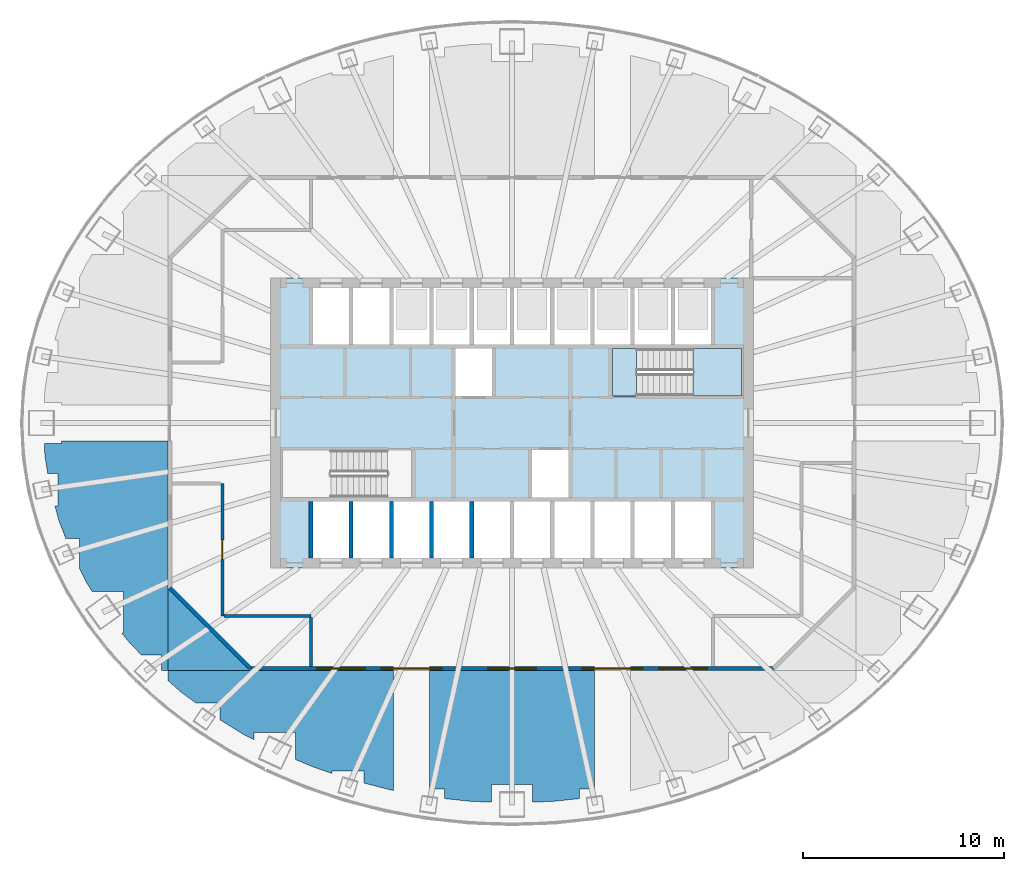
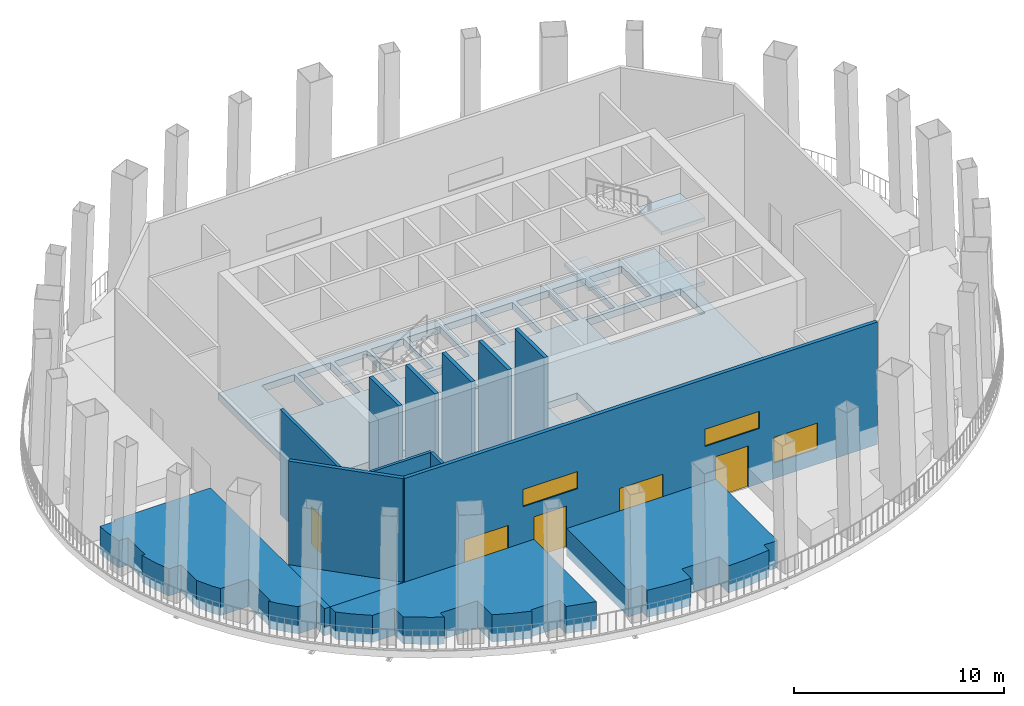
# One storey, part 3 of 15: 14 walls, 5 windows, 4 slabs, 3 doors, 8 openings, 1 element without a shape of its own.
"""IFC4 building model written with IfcOpenShell, lengths in metres."""

import ifcopenshell
import ifcopenshell.guid

model = None  # the IFC model being written
_history = None  # IfcOwnerHistory: only IFC2X3 demands one
_inside = {}  # id of a spatial element -> (the spatial element, [elements in it])
_under = {}  # id of a project, library or spatial element -> (it, [spatial elements below it])
_declared = {}  # id of a project -> (the project, [libraries it declares])
_typed = {}  # id of a type object -> (the type object, [elements of that type])
_made_of = {}  # id of a material, layer set ... -> (it, [elements and type objects made of it])


def new_model(schema):
    """Start an empty IFC model of exactly this schema.

    Asked for "IFC4X3", IfcOpenShell would pick the latest addendum, in which some entities
    have other attributes; the version numbers below select the first issue.
    IFC2X3 requires an IfcOwnerHistory on every rooted entity: one is made here for all.
    """
    global model, _history
    if schema == "IFC4X3":
        model = ifcopenshell.file(schema_version=(4, 3, 0, 0))
    else:
        model = ifcopenshell.file(schema=schema)
    _inside.clear()
    _under.clear()
    _declared.clear()
    _typed.clear()
    _made_of.clear()
    _history = None
    if model.schema == "IFC2X3":
        org = make("IfcOrganization", Name="unknown")
        user = make(
            "IfcPersonAndOrganization",
            ThePerson=make("IfcPerson", FamilyName="unknown"),
            TheOrganization=org,
        )
        app = make(
            "IfcApplication",
            ApplicationDeveloper=org,
            Version="unknown",
            ApplicationFullName="unknown",
            ApplicationIdentifier="unknown",
        )
        _history = make(
            "IfcOwnerHistory",
            OwningUser=user,
            OwningApplication=app,
            ChangeAction="ADDED",
            CreationDate=0,
        )
    return model


def make(cls, **values):
    """One entity of the class cls with the attributes given. An attribute that is None is left unset."""
    return model.create_entity(
        cls, **{name: value for name, value in values.items() if value is not None}
    )


def rooted(cls, **values):
    """An entity with a GlobalId (a new one), such as an element, a storey or a relation."""
    return make(cls, GlobalId=ifcopenshell.guid.new(), OwnerHistory=_history, **values)


def si_unit(unit_type, name, prefix=None):
    """IfcSIUnit, for example si_unit("LENGTHUNIT", "METRE", prefix="MILLI")."""
    return make("IfcSIUnit", UnitType=unit_type, Prefix=prefix, Name=name)


def assignment(units):
    """IfcUnitAssignment: the units of a project."""
    return None if units is None else make("IfcUnitAssignment", Units=units)


def point(xyz):
    """IfcCartesianPoint."""
    return None if xyz is None else make("IfcCartesianPoint", Coordinates=xyz)


def direction(xyz):
    """IfcDirection."""
    return None if xyz is None else make("IfcDirection", DirectionRatios=xyz)


def frame(location, z_axis=None, x_axis=None):
    """IfcAxis2Placement3D, a coordinate frame: its origin and axes. An axis left out is left unset."""
    return make(
        "IfcAxis2Placement3D",
        Location=point(location),
        Axis=direction(z_axis),
        RefDirection=direction(x_axis),
    )


def frame_2d(location, x_axis=None):
    """IfcAxis2Placement2D, a coordinate frame in the plane: its origin and x axis."""
    return make(
        "IfcAxis2Placement2D", Location=point(location), RefDirection=direction(x_axis)
    )


def origin():
    """The frame at (0, 0, 0) with its axes left unset."""
    return frame((0.0, 0.0, 0.0))


def place(relative_to, where):
    """IfcLocalPlacement: puts the frame where relative to a parent placement (None: the world)."""
    return make(
        "IfcLocalPlacement", PlacementRelTo=relative_to, RelativePlacement=where
    )


def context(
    kind, dimensions, precision=None, world=None, true_north=None, identifier=None
):
    """IfcGeometricRepresentationContext, for example the 3D "Model" context."""
    return make(
        "IfcGeometricRepresentationContext",
        ContextIdentifier=identifier,
        ContextType=kind,
        CoordinateSpaceDimension=dimensions,
        Precision=precision,
        WorldCoordinateSystem=world,
        TrueNorth=true_north,
    )


def subcontext(parent, identifier, kind, view, scale=None):
    """IfcGeometricRepresentationSubContext, for example "Body" below "Model"."""
    return make(
        "IfcGeometricRepresentationSubContext",
        ContextIdentifier=identifier,
        ContextType=kind,
        ParentContext=parent,
        TargetScale=scale,
        TargetView=view,
    )


def project(units=None, contexts=None):
    """IfcProject with its units and contexts."""
    return rooted(
        "IfcProject",
        Name="project",
        RepresentationContexts=contexts,
        UnitsInContext=assignment(units),
    )


def spatial(cls, under=None, at=None, **own):
    """A site, building, storey or space (cls), placed at a placement, below another one or the project."""
    s = rooted(cls, ObjectPlacement=at, **own)
    if under is not None:
        _under.setdefault(under.id(), (under, []))[1].append(s)
    return s


def polyline(points):
    """IfcPolyline through the points."""
    return make("IfcPolyline", Points=[point(p) for p in points])


def profile(cls, at=None, kind="AREA", **sizes):
    """A parametric profile (cls). Its sizes go by their IFC names, for example OverallWidth=200.0."""
    return make(cls, ProfileType=kind, Position=at, **sizes)


def rectangle(**sizes):
    """IfcRectangleProfileDef."""
    return profile("IfcRectangleProfileDef", **sizes)


def outline(outer, holes=None, kind="AREA"):
    """IfcArbitraryClosedProfileDef: a profile drawn as a closed curve; with holes, ...WithVoids."""
    if holes is None:
        return make("IfcArbitraryClosedProfileDef", ProfileType=kind, OuterCurve=outer)
    return make(
        "IfcArbitraryProfileDefWithVoids",
        ProfileType=kind,
        OuterCurve=outer,
        InnerCurves=holes,
    )


def extrude(swept, where, along, depth):
    """IfcExtrudedAreaSolid: the profile swept, set in the frame where, extruded along a direction by depth."""
    return make(
        "IfcExtrudedAreaSolid",
        SweptArea=swept,
        Position=where,
        ExtrudedDirection=direction(along),
        Depth=depth,
    )


def shape(context_of_items, identifier, shape_type, items):
    """IfcShapeRepresentation: the items that make up one representation, for example the "Body"."""
    return make(
        "IfcShapeRepresentation",
        ContextOfItems=context_of_items,
        RepresentationIdentifier=identifier,
        RepresentationType=shape_type,
        Items=items,
    )


def material(Name=None, Category=None):
    """IfcMaterial."""
    return make("IfcMaterial", Name=Name, Category=Category)


def layer(
    of_material, thickness, ventilated=None, Name=None, Category=None, Priority=None
):
    """IfcMaterialLayer: one layer of a wall or slab, of a material (None: an air gap)."""
    return make(
        "IfcMaterialLayer",
        Material=of_material,
        LayerThickness=thickness,
        IsVentilated=ventilated,
        Name=Name,
        Category=Category,
        Priority=Priority,
    )


def layer_set(layers, Name=None):
    """IfcMaterialLayerSet."""
    return make("IfcMaterialLayerSet", MaterialLayers=layers, LayerSetName=Name)


def made_of(thing, what):
    """Note that an element or type object is made of a material, layer set ...; save() writes the relation."""
    if what is not None:
        _made_of.setdefault(what.id(), (what, []))[1].append(thing)
    return thing


def type_object(cls, material=None, **own):
    """A type object (cls), such as IfcWallType, which elements share."""
    return made_of(rooted(cls, **own), material)


def element(
    cls,
    number,
    at=None,
    inside=None,
    cuts=None,
    type_object=None,
    material=None,
    context=None,
    identifier="Body",
    shape_type=None,
    held_by="IfcProductDefinitionShape",
    body=None,
    shapes=None,
    **own,
):
    """One element of the class cls, such as IfcWall. Its Tag is "e" and its number.

    at: its placement. inside: the storey or other place that contains it. cuts: it is an
    opening in that element (IfcRelVoidsElement). A single representation is given by context,
    identifier, shape_type and body (its items); several are given by shapes. held_by: the class
    of the entity that holds the representations. save() writes the other relations.
    """
    e = rooted(cls, Tag="e%d" % number, ObjectPlacement=at, **own)
    if body is not None:
        shapes = [shape(context, identifier, shape_type, body)]
    if shapes is not None:
        e.Representation = make(held_by, Representations=shapes)
    if inside is not None:
        _inside.setdefault(inside.id(), (inside, []))[1].append(e)
    if cuts is not None:
        rooted(
            "IfcRelVoidsElement", RelatingBuildingElement=cuts, RelatedOpeningElement=e
        )
    if type_object is not None:
        _typed.setdefault(type_object.id(), (type_object, []))[1].append(e)
    return made_of(e, material)


def fill(opening, filler):
    """IfcRelFillsElement: the door or window that sits in an opening."""
    return rooted(
        "IfcRelFillsElement",
        RelatingOpeningElement=opening,
        RelatedBuildingElement=filler,
    )


def aggregate(whole, parts):
    """IfcRelAggregates: a whole, such as a stair, and the parts it consists of."""
    return rooted("IfcRelAggregates", RelatingObject=whole, RelatedObjects=parts)


def save(model, path):
    """Write the relations noted so far, then the file.

    IfcRelAggregates (storeys below a building ...), IfcRelContainedInSpatialStructure (elements
    in a storey), IfcRelDefinesByType, IfcRelAssociatesMaterial and IfcRelDeclares: one each for
    every whole, place, type object, material and project.
    """
    for whole, parts in _under.values():
        aggregate(whole, parts)
    for where, things in _inside.values():
        rooted(
            "IfcRelContainedInSpatialStructure",
            RelatedElements=things,
            RelatingStructure=where,
        )
    for kind, things in _typed.values():
        rooted("IfcRelDefinesByType", RelatedObjects=things, RelatingType=kind)
    for what, things in _made_of.values():
        rooted("IfcRelAssociatesMaterial", RelatedObjects=things, RelatingMaterial=what)
    for by, libraries in _declared.values():
        rooted("IfcRelDeclares", RelatingContext=by, RelatedDefinitions=libraries)
    model.write(path)


model = new_model("IFC4")

# Units and contexts
model_context = context("Model", 3, precision=1e-05, world=origin(), true_north=direction((0.0, 1.0)))
body_context = subcontext(model_context, "Body", "Model", "MODEL_VIEW")
ifc_project = project(units=[si_unit("LENGTHUNIT", "METRE"), si_unit("AREAUNIT", "SQUARE_METRE"), si_unit("VOLUMEUNIT", "CUBIC_METRE"), si_unit("PLANEANGLEUNIT", "RADIAN"), si_unit("MASSUNIT", "GRAM", prefix="KILO")], contexts=[model_context])

# Site, building, storey
site_placement = place(None, origin())
site = spatial("IfcSite", under=ifc_project, at=site_placement, CompositionType="ELEMENT")
building_placement = place(site_placement, origin())
building = spatial("IfcBuilding", under=site, at=building_placement, Name="Siaravel Broadcast Tower", CompositionType="ELEMENT")
storey_placement = place(building_placement, frame((0.0, 0.0, 145.199951171875)))
storey = spatial("IfcBuildingStorey", under=building, at=storey_placement, Name="L35", CompositionType="ELEMENT", Elevation=145.199951171875)

# Slab
ifc_material_1 = material(Name="Concrete C40/50", Category="concrete")
ifc_layer_1 = layer(ifc_material_1, 0.39990234375)
ifc_layer_set_1 = layer_set([ifc_layer_1], Name="Concrete C40/50")
slab_type_1 = type_object("IfcSlabType", Name="Core floor slab 400", PredefinedType="FLOOR", material=ifc_layer_set_1)
slab_1_placement = place(storey_placement, frame((0.0, 0.0, -0.39990234375)))
element("IfcSlab", 1, at=slab_1_placement, inside=storey, type_object=slab_type_1, Name="L35 core floor", PredefinedType="FLOOR", context=body_context, shape_type="SweptSolid", body=[
    extrude(outline(polyline([(-12.0, -7.199951171875), (-12.0, 7.199951171875), (12.0, 7.199951171875), (12.0, -7.199951171875), (-12.0, -7.199951171875)]), holes=[polyline([(11.3994140625, 1.3505859375), (11.3994140625, 3.699462890625), (6.200439453125, 3.699462890625), (6.200439453125, 1.3505859375), (11.3994140625, 1.3505859375)]), polyline([(9.89990234375, 3.89990234375), (9.89990234375, 6.699951171875), (8.10009765625, 6.699951171875), (8.10009765625, 3.89990234375), (9.89990234375, 3.89990234375)]), polyline([(9.89990234375, -6.699951171875), (9.89990234375, -3.89990234375), (8.10009765625, -3.89990234375), (8.10009765625, -6.699951171875), (9.89990234375, -6.699951171875)]), polyline([(7.89990234375, -3.89990234375), (6.10009765625, -3.89990234375), (6.10009765625, -6.699951171875), (7.89990234375, -6.699951171875), (7.89990234375, -3.89990234375)]), polyline([(7.89990234375, 3.89990234375), (7.89990234375, 6.699951171875), (6.10009765625, 6.699951171875), (6.10009765625, 3.89990234375), (7.89990234375, 3.89990234375)]), polyline([(5.89990234375, 6.699951171875), (4.10009765625, 6.699951171875), (4.10009765625, 3.89990234375), (5.89990234375, 3.89990234375), (5.89990234375, 6.699951171875)]), polyline([(5.89990234375, -6.699951171875), (5.89990234375, -3.89990234375), (4.10009765625, -3.89990234375), (4.10009765625, -6.699951171875), (5.89990234375, -6.699951171875)]), polyline([(3.89990234375, 3.89990234375), (3.89990234375, 6.699951171875), (2.10009765625, 6.699951171875), (2.10009765625, 3.89990234375), (3.89990234375, 3.89990234375)]), polyline([(3.89990234375, -6.699951171875), (3.89990234375, -3.89990234375), (2.10009765625, -3.89990234375), (2.10009765625, -6.699951171875), (3.89990234375, -6.699951171875)]), polyline([(2.800048828125, -3.699951171875), (2.800048828125, -1.35009765625), (1.0, -1.35009765625), (1.0, -3.699951171875), (2.800048828125, -3.699951171875)]), polyline([(1.89990234375, 3.89990234375), (1.89990234375, 6.699951171875), (0.10009765625, 6.699951171875), (0.10009765625, 3.89990234375), (1.89990234375, 3.89990234375)]), polyline([(1.89990234375, -3.89990234375), (0.10009765625, -3.89990234375), (0.10009765625, -6.699951171875), (1.89990234375, -6.699951171875), (1.89990234375, -3.89990234375)]), polyline([(-0.10009765625, 3.89990234375), (-0.10009765625, 6.699951171875), (-1.89990234375, 6.699951171875), (-1.89990234375, 3.89990234375), (-0.10009765625, 3.89990234375)]), polyline([(-0.10009765625, -6.699951171875), (-0.10009765625, -3.89990234375), (-1.89990234375, -3.89990234375), (-1.89990234375, -6.699951171875), (-0.10009765625, -6.699951171875)]), polyline([(-1.0, 3.699951171875), (-2.800048828125, 3.699951171875), (-2.800048828125, 1.35009765625), (-1.0, 1.35009765625), (-1.0, 3.699951171875)]), polyline([(-2.10009765625, -3.89990234375), (-3.89990234375, -3.89990234375), (-3.89990234375, -6.699951171875), (-2.10009765625, -6.699951171875), (-2.10009765625, -3.89990234375)]), polyline([(-2.10009765625, 3.89990234375), (-2.10009765625, 6.699951171875), (-3.89990234375, 6.699951171875), (-3.89990234375, 3.89990234375), (-2.10009765625, 3.89990234375)]), polyline([(-4.10009765625, 6.699951171875), (-5.89990234375, 6.699951171875), (-5.89990234375, 3.89990234375), (-4.10009765625, 3.89990234375), (-4.10009765625, 6.699951171875)]), polyline([(-4.10009765625, -6.699951171875), (-4.10009765625, -3.89990234375), (-5.89990234375, -3.89990234375), (-5.89990234375, -6.699951171875), (-4.10009765625, -6.699951171875)]), polyline([(-6.10009765625, 3.89990234375), (-6.10009765625, 6.699951171875), (-7.89990234375, 6.699951171875), (-7.89990234375, 3.89990234375), (-6.10009765625, 3.89990234375)]), polyline([(-6.10009765625, -6.699951171875), (-6.10009765625, -3.89990234375), (-7.89990234375, -3.89990234375), (-7.89990234375, -6.699951171875), (-6.10009765625, -6.699951171875)]), polyline([(-6.200439453125, -1.3505859375), (-11.3994140625, -1.3505859375), (-11.3994140625, -3.699462890625), (-6.200439453125, -3.699462890625), (-6.200439453125, -1.3505859375)]), polyline([(-8.10009765625, 3.89990234375), (-8.10009765625, 6.699951171875), (-9.89990234375, 6.699951171875), (-9.89990234375, 3.89990234375), (-8.10009765625, 3.89990234375)]), polyline([(-8.10009765625, -3.89990234375), (-9.89990234375, -3.89990234375), (-9.89990234375, -6.699951171875), (-8.10009765625, -6.699951171875), (-8.10009765625, -3.89990234375)])]), origin(), (0.0, 0.0, 1.0), 0.39990234375),
])

# Stair, slabs
stair_type = type_object("IfcStairType", Name="Core exit stair", PredefinedType="HALF_TURN_STAIR", material=ifc_material_1)
stair_placement = place(storey_placement, origin())
stair = element("IfcStair", 2, at=stair_placement, inside=storey, type_object=stair_type, Name="L35 Exit stair ST-2", PredefinedType="HALF_TURN_STAIR")
ifc_layer_2 = layer(ifc_material_1, 0.199951171875)
ifc_layer_set_2 = layer_set([ifc_layer_2], Name="Concrete C40/50")
slab_type_2 = type_object("IfcSlabType", Name="Stair landing", PredefinedType="LANDING", material=ifc_layer_set_2)
slab_2_placement = place(storey_placement, frame((0.0, 0.0, 1.650146484375)))
slab_2 = element("IfcSlab", 3, at=slab_2_placement, type_object=slab_type_2, Name="ST-2 landing 1", PredefinedType="LANDING", context=body_context, shape_type="SweptSolid", body=[
    extrude(outline(polyline([(9.0, 1.35009765625), (11.39990234375, 1.35009765625), (11.39990234375, 3.699951171875), (9.0, 3.699951171875), (9.0, 1.35009765625)])), origin(), (0.0, 0.0, 1.0), 0.199951171875),
])
slab_3_placement = place(storey_placement, frame((0.0, 0.0, 3.5)))
slab_3 = element("IfcSlab", 4, at=slab_3_placement, type_object=slab_type_2, Name="ST-2 landing 2", PredefinedType="LANDING", context=body_context, shape_type="SweptSolid", body=[
    extrude(outline(polyline([(5.0, 1.35009765625), (6.199951171875, 1.35009765625), (6.199951171875, 3.699951171875), (5.0, 3.699951171875), (5.0, 1.35009765625)])), origin(), (0.0, 0.0, 1.0), 0.199951171875),
])
slab_4_placement = place(storey_placement, frame((0.0, 0.0, 5.35009765625)))
slab_4 = element("IfcSlab", 5, at=slab_4_placement, type_object=slab_type_2, Name="ST-2 landing 3", PredefinedType="LANDING", context=body_context, shape_type="SweptSolid", body=[
    extrude(outline(polyline([(9.0, 1.35009765625), (11.39990234375, 1.35009765625), (11.39990234375, 3.699951171875), (9.0, 3.699951171875), (9.0, 1.35009765625)])), origin(), (0.0, 0.0, 1.0), 0.199951171875),
])
aggregate(stair, [slab_2, slab_3, slab_4])

# Wall, opening, door
ifc_material_2 = material(Name="Gypsum board partition", Category="gypsum")
ifc_layer_3 = layer(ifc_material_2, 0.14990234375)
ifc_layer_set_3 = layer_set([ifc_layer_3], Name="Gypsum board partition")
wall_type_1 = type_object("IfcWallType", Name="Corridor wall 150", PredefinedType="PARTITIONING", material=ifc_layer_set_3)
wall_1_placement = place(storey_placement, frame((-14.39990234375, -9.60009765625, 0.0), z_axis=(0.0, 0.0, 1.0), x_axis=(0.0, 1.0, 0.0)))
wall_1 = element("IfcWall", 6, at=wall_1_placement, inside=storey, type_object=wall_type_1, Name="L35 partition 2", PredefinedType="PARTITIONING", context=body_context, shape_type="SweptSolid", body=[
    extrude(rectangle(XDim=6.60009765625, YDim=0.14990234375, at=frame_2d((3.300048828125, 0.0))), origin(), (0.0, 0.0, 1.0), 6.10009765625),
])
opening_1_placement = place(wall_1_placement, frame((2.824951171875, 0.0, 0.0)))
opening_1 = element("IfcOpeningElement", 7, at=opening_1_placement, cuts=wall_1, Name="Opening L35-003", PredefinedType="OPENING", context=body_context, shape_type="SweptSolid", body=[
    extrude(rectangle(XDim=0.949951171875, YDim=2.14990234375, at=frame_2d((0.47509765625, 1.074951171875))), frame((0.0, 0.0849609375, 0.0), z_axis=(0.0, -1.0, 0.0), x_axis=(1.0, 0.0, 0.0)), (0.0, 0.0, 1.0), 0.169921875),
])
ifc_material_3 = material(Name="Timber veneer", Category="wood")
door_type_1 = type_object("IfcDoorType", Name="Office door 950", OperationType="SINGLE_SWING_LEFT", PredefinedType="DOOR", material=ifc_material_3)
door_1_placement = place(opening_1_placement, origin())
door_1 = element("IfcDoor", 8, at=door_1_placement, inside=storey, type_object=door_type_1, Name="L35 door to Presenter studio", OperationType="SINGLE_SWING_LEFT", OverallHeight=2.14990234375, OverallWidth=0.949951171875, PredefinedType="DOOR", context=body_context, shape_type="SweptSolid", body=[
    extrude(rectangle(XDim=0.949951171875, YDim=2.14990234375, at=frame_2d((0.47509765625, 1.074951171875))), frame((0.0, 0.02490234375, 0.0), z_axis=(0.0, -1.0, 0.0), x_axis=(1.0, 0.0, 0.0)), (0.0, 0.0, 1.0), 0.050048828125),
])
fill(opening_1, door_1)

# Walls
wall_2_placement = place(storey_placement, frame((-10.0, -9.60009765625, 0.0), z_axis=(0.0, 0.0, 1.0), x_axis=(-1.0, 0.0, 0.0)))
element("IfcWall", 9, at=wall_2_placement, inside=storey, type_object=wall_type_1, Name="L35 partition 7", PredefinedType="PARTITIONING", context=body_context, shape_type="SweptSolid", body=[
    extrude(rectangle(XDim=4.322998046875, YDim=0.14990234375, at=frame_2d((2.16162109375, 0.0))), origin(), (0.0, 0.0, 1.0), 6.10009765625),
])
wall_3_placement = place(storey_placement, frame((-10.0, -12.10009765625, 0.0), z_axis=(0.0, 0.0, 1.0), x_axis=(0.0, 1.0, 0.0)))
element("IfcWall", 10, at=wall_3_placement, inside=storey, type_object=wall_type_1, Name="L35 partition 9", PredefinedType="PARTITIONING", context=body_context, shape_type="SweptSolid", body=[
    extrude(rectangle(XDim=2.423095703125, YDim=0.14990234375, at=frame_2d((1.21142578125, 0.0))), origin(), (0.0, 0.0, 1.0), 6.10009765625),
])
ifc_layer_4 = layer(ifc_material_1, 1.0)
ifc_layer_set_4 = layer_set([ifc_layer_4], Name="Concrete C40/50")
wall_type_2 = type_object("IfcWallType", Name="Garden planter box", PredefinedType="ELEMENTEDWALL", material=ifc_layer_set_4)
wall_4_placement = place(storey_placement, frame((0.0, 0.0, -0.39990234375)))
element("IfcWall", 11, at=wall_4_placement, inside=storey, type_object=wall_type_2, Name="L35 garden planting bed 01", PredefinedType="ELEMENTEDWALL", context=body_context, shape_type="SweptSolid", body=[
    extrude(outline(polyline([(2.031005859375, -18.807861328125), (3.343017578125, -18.66796875), (3.343017578125, -18.18505859375), (4.10009765625, -18.18505859375), (4.10009765625, -12.300048828125), (-4.10009765625, -12.300048828125), (-4.10009765625, -18.18505859375), (-3.343017578125, -18.18505859375), (-3.343017578125, -18.66796875), (-2.031005859375, -18.807861328125), (-1.02490234375, -18.843505859375), (-1.02490234375, -17.95703125), (1.02490234375, -17.95703125), (1.02490234375, -18.843505859375), (2.031005859375, -18.807861328125)])), origin(), (0.0, 0.0, 1.0), 1.579833984375),
])
wall_5_placement = place(storey_placement, frame((0.0, 0.0, -0.39990234375)))
element("IfcWall", 12, at=wall_5_placement, inside=storey, type_object=wall_type_2, Name="L35 garden planting bed 02", PredefinedType="ELEMENTEDWALL", context=body_context, shape_type="SweptSolid", body=[
    extrude(outline(polyline([(-7.356689453125, -17.897705078125), (-6.03125, -18.236328125), (-5.89990234375, -18.260009765625), (-5.89990234375, -12.300048828125), (-13.04150390625, -12.300048828125), (-17.10009765625, -12.300048828125), (-17.10009765625, -12.799560546875), (-16.4775390625, -13.349853515625), (-15.703857421875, -13.92431640625), (-14.505859375, -13.92431640625), (-14.505859375, -14.756591796875), (-13.365966796875, -15.46533203125), (-12.81298828125, -15.75048828125), (-12.81298828125, -15.3720703125), (-10.76318359375, -15.3720703125), (-10.76318359375, -16.724853515625), (-9.84814453125, -17.110595703125), (-8.956787109375, -17.409912109375), (-8.956787109375, -17.30419921875), (-7.356689453125, -17.30419921875), (-7.356689453125, -17.897705078125)])), origin(), (0.0, 0.0, 1.0), 1.579833984375),
])
wall_6_placement = place(storey_placement, frame((0.0, 0.0, -0.39990234375)))
element("IfcWall", 13, at=wall_6_placement, inside=storey, type_object=wall_type_2, Name="L35 garden planting bed 04", PredefinedType="ELEMENTEDWALL", context=body_context, shape_type="SweptSolid", body=[
    extrude(outline(polyline([(-17.10009765625, -8.241455078125), (-17.10009765625, -12.300048828125), (-13.04150390625, -12.300048828125), (-17.10009765625, -8.241455078125)])), origin(), (0.0, 0.0, 1.0), 1.579833984375),
])
wall_7_placement = place(storey_placement, frame((0.0, 0.0, -0.39990234375)))
element("IfcWall", 14, at=wall_7_placement, inside=storey, type_object=wall_type_2, Name="L35 garden planting bed 06", PredefinedType="ELEMENTEDWALL", context=body_context, shape_type="SweptSolid", body=[
    extrude(outline(polyline([(-17.422119140625, -12.300048828125), (-17.10009765625, -12.300048828125), (-17.10009765625, -8.241455078125), (-17.10009765625, -0.89990234375), (-22.391845703125, -0.89990234375), (-22.391845703125, -1.02490234375), (-23.24755859375, -1.02490234375), (-23.214111328125, -1.6455078125), (-23.072265625, -2.518798828125), (-22.562255859375, -2.518798828125), (-22.562255859375, -4.118896484375), (-22.71875, -4.118896484375), (-22.5087890625, -4.886474609375), (-22.17529296875, -5.74365234375), (-21.507080078125, -5.74365234375), (-21.507080078125, -7.220703125), (-21.119384765625, -7.97900390625), (-20.8603515625, -8.38232421875), (-19.30810546875, -8.38232421875), (-19.30810546875, -10.432373046875), (-19.400390625, -10.432373046875), (-19.08837890625, -10.828857421875), (-18.418701171875, -11.535888671875), (-17.422119140625, -11.535888671875), (-17.422119140625, -12.300048828125)])), origin(), (0.0, 0.0, 1.0), 1.579833984375),
])
ifc_material_4 = material(Name="Concrete C60/75", Category="concrete")
ifc_layer_5 = layer(ifc_material_4, 0.199951171875)
ifc_layer_set_5 = layer_set([ifc_layer_5], Name="Concrete C60/75")
wall_type_3 = type_object("IfcWallType", Name="Shaft wall 200", PredefinedType="SHEAR", material=ifc_layer_set_5)
for number, where, z_axis, x_axis, name in (
    (15, (-10.0, -6.699951171875, 0.0), (0.0, 0.0, 1.0), (0.0, 1.0, 0.0), "L35 core wall SWS0"),
    (16, (-8.0, -6.699951171875, 0.0), (0.0, 0.0, 1.0), (0.0, 1.0, 0.0), "L35 core wall SWS1"),
    (17, (-6.0, -6.699951171875, 0.0), (0.0, 0.0, 1.0), (0.0, 1.0, 0.0), "L35 core wall SWS2"),
    (18, (-4.0, -6.699951171875, 0.0), (0.0, 0.0, 1.0), (0.0, 1.0, 0.0), "L35 core wall SWS3"),
    (19, (-2.0, -6.699951171875, 0.0), (0.0, 0.0, 1.0), (0.0, 1.0, 0.0), "L35 core wall SWS4"),
):
    element("IfcWall", number, at=place(storey_placement, frame(where, z_axis=z_axis, x_axis=x_axis)), inside=storey, type_object=wall_type_3, Name=name, PredefinedType="SHEAR", context=body_context, shape_type="SweptSolid", body=[
        extrude(rectangle(XDim=2.800048828125, YDim=0.199951171875, at=frame_2d((1.39990234375, 0.0))), origin(), (0.0, 0.0, 1.0), 7.0),
    ])

# Wall, openings, doors, windows
ifc_layer_6 = layer(ifc_material_1, 0.199951171875)
ifc_layer_set_6 = layer_set([ifc_layer_6], Name="Concrete C40/50")
wall_type_4 = type_object("IfcWallType", Name="Sky lobby enclosure wall", PredefinedType="STANDARD", material=ifc_layer_set_6)
wall_8_placement = place(storey_placement, frame((13.0, -12.199951171875, 0.080078125), z_axis=(0.0, 0.0, 1.0), x_axis=(-1.0, 0.0, 0.0)))
wall_8 = element("IfcWall", 20, at=wall_8_placement, inside=storey, type_object=wall_type_4, Name="L35 sky lobby enclosure wall S", PredefinedType="STANDARD", context=body_context, shape_type="SweptSolid", body=[
    extrude(rectangle(XDim=26.0, YDim=0.199951171875, at=frame_2d((13.0, 0.0))), origin(), (0.0, 0.0, 1.0), 7.119873046875),
])
opening_2_placement = place(wall_8_placement, frame((7.10009765625, 0.0, 0.0)))
opening_2 = element("IfcOpeningElement", 21, at=opening_2_placement, cuts=wall_8, Name="Opening L35-GDN-S1", PredefinedType="OPENING", context=body_context, shape_type="SweptSolid", body=[
    extrude(rectangle(XDim=1.800048828125, YDim=2.39990234375, at=frame_2d((0.89990234375, 1.199951171875))), frame((0.0, 0.10986328125, 0.0), z_axis=(0.0, -1.0, 0.0), x_axis=(1.0, 0.0, 0.0)), (0.0, 0.0, 1.0), 0.219970703125),
])
opening_3_placement = place(wall_8_placement, frame((17.10009765625, 0.0, 0.0)))
opening_3 = element("IfcOpeningElement", 22, at=opening_3_placement, cuts=wall_8, Name="Opening L35-GDN-S2", PredefinedType="OPENING", context=body_context, shape_type="SweptSolid", body=[
    extrude(rectangle(XDim=1.800048828125, YDim=2.39990234375, at=frame_2d((0.89990234375, 1.199951171875))), frame((0.0, 0.10986328125, 0.0), z_axis=(0.0, -1.0, 0.0), x_axis=(1.0, 0.0, 0.0)), (0.0, 0.0, 1.0), 0.219970703125),
])
opening_4_placement = place(wall_8_placement, frame((3.300048828125, 0.0, 0.89990234375)))
opening_4 = element("IfcOpeningElement", 23, at=opening_4_placement, cuts=wall_8, Name="Opening WX-1", PredefinedType="OPENING", context=body_context, shape_type="SweptSolid", body=[
    extrude(rectangle(XDim=2.39990234375, YDim=1.5, at=frame_2d((1.199951171875, 0.75))), frame((0.0, 0.10986328125, 0.0), z_axis=(0.0, -1.0, 0.0), x_axis=(1.0, 0.0, 0.0)), (0.0, 0.0, 1.0), 0.219970703125),
])
opening_5_placement = place(wall_8_placement, frame((11.800048828125, 0.0, 0.89990234375)))
opening_5 = element("IfcOpeningElement", 24, at=opening_5_placement, cuts=wall_8, Name="Opening WX-1", PredefinedType="OPENING", context=body_context, shape_type="SweptSolid", body=[
    extrude(rectangle(XDim=2.39990234375, YDim=1.5, at=frame_2d((1.199951171875, 0.75))), frame((0.0, 0.10986328125, 0.0), z_axis=(0.0, -1.0, 0.0), x_axis=(1.0, 0.0, 0.0)), (0.0, 0.0, 1.0), 0.219970703125),
])
opening_6_placement = place(wall_8_placement, frame((20.300048828125, 0.0, 0.89990234375)))
opening_6 = element("IfcOpeningElement", 25, at=opening_6_placement, cuts=wall_8, Name="Opening WX-1", PredefinedType="OPENING", context=body_context, shape_type="SweptSolid", body=[
    extrude(rectangle(XDim=2.39990234375, YDim=1.5, at=frame_2d((1.199951171875, 0.75))), frame((0.0, 0.10986328125, 0.0), z_axis=(0.0, -1.0, 0.0), x_axis=(1.0, 0.0, 0.0)), (0.0, 0.0, 1.0), 0.219970703125),
])
opening_7_placement = place(wall_8_placement, frame((6.5, 0.0, 3.199951171875)))
opening_7 = element("IfcOpeningElement", 26, at=opening_7_placement, cuts=wall_8, Name="Opening WX-3", PredefinedType="OPENING", context=body_context, shape_type="SweptSolid", body=[
    extrude(rectangle(XDim=3.0, YDim=1.0, at=frame_2d((1.5, 0.5))), frame((0.0, 0.10986328125, 0.0), z_axis=(0.0, -1.0, 0.0), x_axis=(1.0, 0.0, 0.0)), (0.0, 0.0, 1.0), 0.219970703125),
])
opening_8_placement = place(wall_8_placement, frame((16.5, 0.0, 3.199951171875)))
opening_8 = element("IfcOpeningElement", 27, at=opening_8_placement, cuts=wall_8, Name="Opening WX-3", PredefinedType="OPENING", context=body_context, shape_type="SweptSolid", body=[
    extrude(rectangle(XDim=3.0, YDim=1.0, at=frame_2d((1.5, 0.5))), frame((0.0, 0.10986328125, 0.0), z_axis=(0.0, -1.0, 0.0), x_axis=(1.0, 0.0, 0.0)), (0.0, 0.0, 1.0), 0.219970703125),
])
ifc_material_5 = material(Name="Aluminium 6063-T6", Category="aluminium")
door_type_2 = type_object("IfcDoorType", Name="Garden door", OperationType="DOUBLE_DOOR_SINGLE_SWING", PredefinedType="DOOR", material=ifc_material_5)
door_2_placement = place(opening_2_placement, origin())
door_2 = element("IfcDoor", 28, at=door_2_placement, inside=storey, type_object=door_type_2, Name="L35 garden door S1", OperationType="DOUBLE_DOOR_SINGLE_SWING", OverallHeight=2.39990234375, OverallWidth=1.800048828125, PredefinedType="DOOR", context=body_context, shape_type="SweptSolid", body=[
    extrude(rectangle(XDim=1.800048828125, YDim=2.39990234375, at=frame_2d((0.89990234375, 1.199951171875))), frame((0.0, 0.02490234375, 0.0), z_axis=(0.0, -1.0, 0.0), x_axis=(1.0, 0.0, 0.0)), (0.0, 0.0, 1.0), 0.050048828125),
])
fill(opening_2, door_2)
door_3_placement = place(opening_3_placement, origin())
door_3 = element("IfcDoor", 29, at=door_3_placement, inside=storey, type_object=door_type_2, Name="L35 garden door S2", OperationType="DOUBLE_DOOR_SINGLE_SWING", OverallHeight=2.39990234375, OverallWidth=1.800048828125, PredefinedType="DOOR", context=body_context, shape_type="SweptSolid", body=[
    extrude(rectangle(XDim=1.800048828125, YDim=2.39990234375, at=frame_2d((0.89990234375, 1.199951171875))), frame((0.0, 0.02490234375, 0.0), z_axis=(0.0, -1.0, 0.0), x_axis=(1.0, 0.0, 0.0)), (0.0, 0.0, 1.0), 0.050048828125),
])
fill(opening_3, door_3)
window_type_1 = type_object("IfcWindowType", Name="Sky lobby clerestory window 3000x1000", PartitioningType="SINGLE_PANEL", PredefinedType="WINDOW", material=ifc_material_5)
window_1_placement = place(opening_7_placement, origin())
window_1 = element("IfcWindow", 30, at=window_1_placement, inside=storey, type_object=window_type_1, Name="L35 sky lobby clerestory window S1", OverallHeight=1.0, OverallWidth=3.0, PartitioningType="SINGLE_PANEL", PredefinedType="WINDOW", context=body_context, shape_type="SweptSolid", body=[
    extrude(rectangle(XDim=3.0, YDim=1.0, at=frame_2d((1.5, 0.5))), frame((0.0, 0.030029296875, 0.0), z_axis=(0.0, -1.0, 0.0), x_axis=(1.0, 0.0, 0.0)), (0.0, 0.0, 1.0), 0.06005859375),
])
fill(opening_7, window_1)
window_2_placement = place(opening_8_placement, origin())
window_2 = element("IfcWindow", 31, at=window_2_placement, inside=storey, type_object=window_type_1, Name="L35 sky lobby clerestory window S2", OverallHeight=1.0, OverallWidth=3.0, PartitioningType="SINGLE_PANEL", PredefinedType="WINDOW", context=body_context, shape_type="SweptSolid", body=[
    extrude(rectangle(XDim=3.0, YDim=1.0, at=frame_2d((1.5, 0.5))), frame((0.0, 0.030029296875, 0.0), z_axis=(0.0, -1.0, 0.0), x_axis=(1.0, 0.0, 0.0)), (0.0, 0.0, 1.0), 0.06005859375),
])
fill(opening_8, window_2)
window_type_2 = type_object("IfcWindowType", Name="Sky lobby picture window 2400x1500", PartitioningType="SINGLE_PANEL", PredefinedType="WINDOW", material=ifc_material_5)
window_3_placement = place(opening_4_placement, origin())
window_3 = element("IfcWindow", 32, at=window_3_placement, inside=storey, type_object=window_type_2, Name="L35 sky lobby window S1", OverallHeight=1.5, OverallWidth=2.39990234375, PartitioningType="SINGLE_PANEL", PredefinedType="WINDOW", context=body_context, shape_type="SweptSolid", body=[
    extrude(rectangle(XDim=2.39990234375, YDim=1.5, at=frame_2d((1.199951171875, 0.75))), frame((0.0, 0.030029296875, 0.0), z_axis=(0.0, -1.0, 0.0), x_axis=(1.0, 0.0, 0.0)), (0.0, 0.0, 1.0), 0.06005859375),
])
fill(opening_4, window_3)
window_4_placement = place(opening_5_placement, origin())
window_4 = element("IfcWindow", 33, at=window_4_placement, inside=storey, type_object=window_type_2, Name="L35 sky lobby window S2", OverallHeight=1.5, OverallWidth=2.39990234375, PartitioningType="SINGLE_PANEL", PredefinedType="WINDOW", context=body_context, shape_type="SweptSolid", body=[
    extrude(rectangle(XDim=2.39990234375, YDim=1.5, at=frame_2d((1.199951171875, 0.75))), frame((0.0, 0.030029296875, 0.0), z_axis=(0.0, -1.0, 0.0), x_axis=(1.0, 0.0, 0.0)), (0.0, 0.0, 1.0), 0.06005859375),
])
fill(opening_5, window_4)
window_5_placement = place(opening_6_placement, origin())
window_5 = element("IfcWindow", 34, at=window_5_placement, inside=storey, type_object=window_type_2, Name="L35 sky lobby window S3", OverallHeight=1.5, OverallWidth=2.39990234375, PartitioningType="SINGLE_PANEL", PredefinedType="WINDOW", context=body_context, shape_type="SweptSolid", body=[
    extrude(rectangle(XDim=2.39990234375, YDim=1.5, at=frame_2d((1.199951171875, 0.75))), frame((0.0, 0.030029296875, 0.0), z_axis=(0.0, -1.0, 0.0), x_axis=(1.0, 0.0, 0.0)), (0.0, 0.0, 1.0), 0.06005859375),
])
fill(opening_6, window_5)

# Wall
wall_9_placement = place(storey_placement, frame((-13.0, -12.199951171875, 0.080078125), z_axis=(0.0, 0.0, 1.0), x_axis=(-0.707106781, 0.707106781, 0.0)))
element("IfcWall", 35, at=wall_9_placement, inside=storey, type_object=wall_type_4, Name="L35 sky lobby enclosure wall SW", PredefinedType="STANDARD", context=body_context, shape_type="SweptSolid", body=[
    extrude(rectangle(XDim=5.65673828125, YDim=0.199951171875, at=frame_2d((2.828369140625, 0.0))), origin(), (0.0, 0.0, 1.0), 7.119873046875),
])

save(model, "model.ifc")
